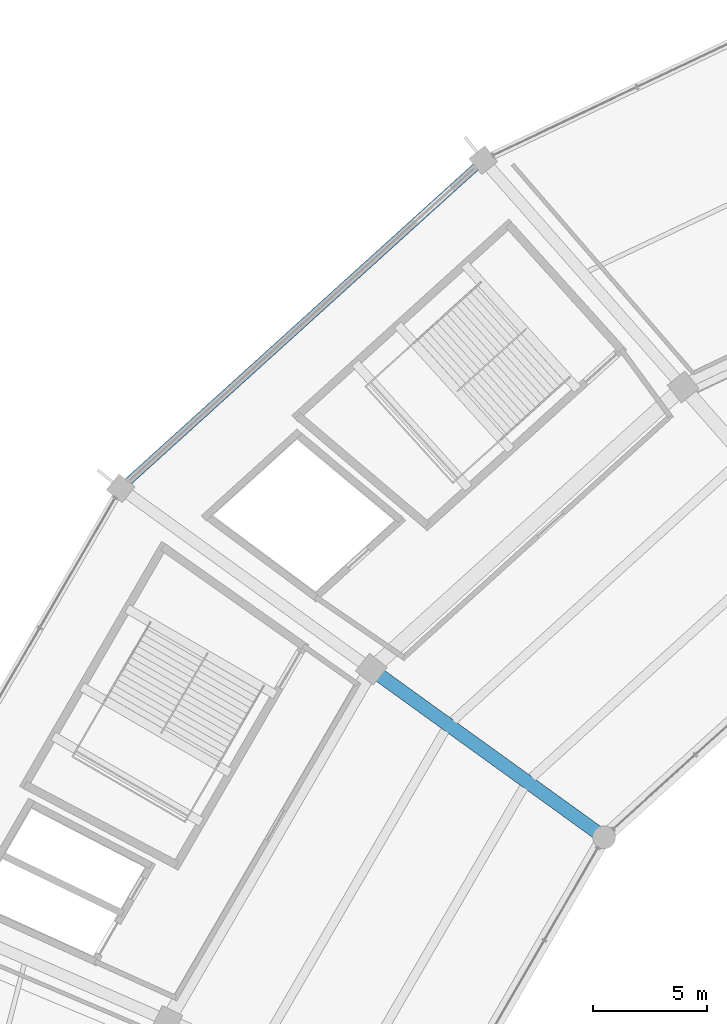
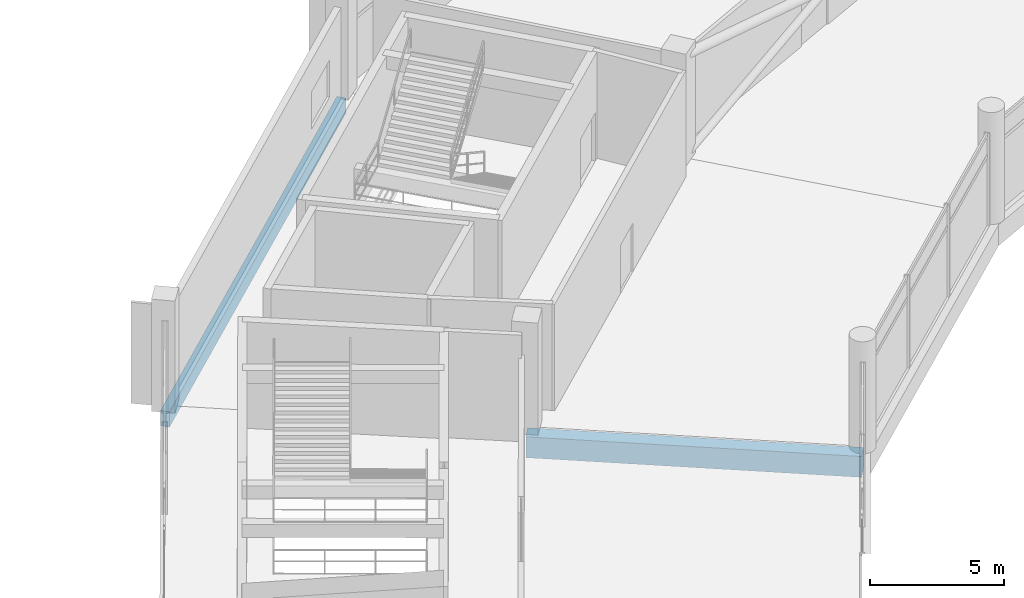
# One storey, part 95 of 184: 2 beams.
"""IFC4 building model written with IfcOpenShell, lengths in metres."""

from ifc_helpers import new_model, si_unit, direction, frame, origin, origin_2d, place, context, subcontext, project, spatial, rectangle, extrude, material, material_profile, profile_set, type_object, element, save


model = new_model("IFC4")

# Units and contexts
model_context = context("Model", 3, precision=1e-05, world=origin(), true_north=direction((0.0, 1.0)))
body_context = subcontext(model_context, "Body", "Model", "MODEL_VIEW")
ifc_project = project(units=[si_unit("LENGTHUNIT", "METRE"), si_unit("AREAUNIT", "SQUARE_METRE"), si_unit("VOLUMEUNIT", "CUBIC_METRE"), si_unit("PLANEANGLEUNIT", "RADIAN"), si_unit("MASSUNIT", "GRAM", prefix="KILO")], contexts=[model_context])

# Site, building, storey
site_placement = place(None, origin())
site = spatial("IfcSite", under=ifc_project, at=site_placement, CompositionType="ELEMENT")
building_placement = place(site_placement, origin())
building = spatial("IfcBuilding", under=site, at=building_placement, Name="Kazemori Nagisa Stadium", CompositionType="ELEMENT")
storey_placement = place(building_placement, frame((0.0, 0.0, 10.5400390625)))
storey = spatial("IfcBuildingStorey", under=building, at=storey_placement, Name="L02", CompositionType="ELEMENT", Elevation=10.5400390625)

# Beams
ifc_material = material(Name="Concrete C40/50 (Fc42)", Category="concrete")
ifc_material_profile_1 = material_profile(ifc_material, rectangle(XDim=0.60009765625, YDim=0.949951171875, at=origin_2d()), Name="RC-BM-600x950")
ifc_profile_set_1 = profile_set([ifc_material_profile_1], Name="Concrete C40/50 (Fc42)")
beam_type_1 = type_object("IfcBeamType", Name="Beam_BG-RC600X950", PredefinedType="BEAM", material=ifc_profile_set_1)
beam_1_placement = place(storey_placement, frame((65.698486328125, 143.367431640625, -0.735107421875), z_axis=(-0.810802996314, 0.585319144714, 0.0), x_axis=(-0.585319144714, -0.810802996314, 0.0)))
element("IfcBeam", 1, at=beam_1_placement, inside=storey, type_object=beam_type_1, Name="Radial girder BG-RC600X950 L02 R1-R2-12", PredefinedType="BEAM", context=body_context, shape_type="SweptSolid", body=[
    extrude(rectangle(XDim=0.60009765625, YDim=0.949951171875, at=origin_2d()), origin(), (0.0, 0.0, 1.0), 12.585693359375),
])
ifc_material_profile_2 = material_profile(ifc_material, rectangle(XDim=0.35009765625, YDim=0.699951171875, at=origin_2d()), Name="RC-SP-350x700")
ifc_profile_set_2 = profile_set([ifc_material_profile_2], Name="Concrete C40/50 (Fc42)")
beam_type_2 = type_object("IfcBeamType", Name="Beam_BS-RC350X700", PredefinedType="SPANDREL", material=ifc_profile_set_2)
beam_2_placement = place(storey_placement, frame((60.402099609375, 173.05908203125, -0.610107421875), z_axis=(-0.741351531326, -0.671116910084, 0.0), x_axis=(0.671116910084, -0.741351531326, 0.0)))
element("IfcBeam", 2, at=beam_2_placement, inside=storey, type_object=beam_type_2, Name="Ring girder BS-RC350X700 L02 R3-11", PredefinedType="SPANDREL", context=body_context, shape_type="SweptSolid", body=[
    extrude(rectangle(XDim=0.35009765625, YDim=0.699951171875, at=origin_2d()), origin(), (0.0, 0.0, 1.0), 21.44384765625),
])

save(model, "model.ifc")
